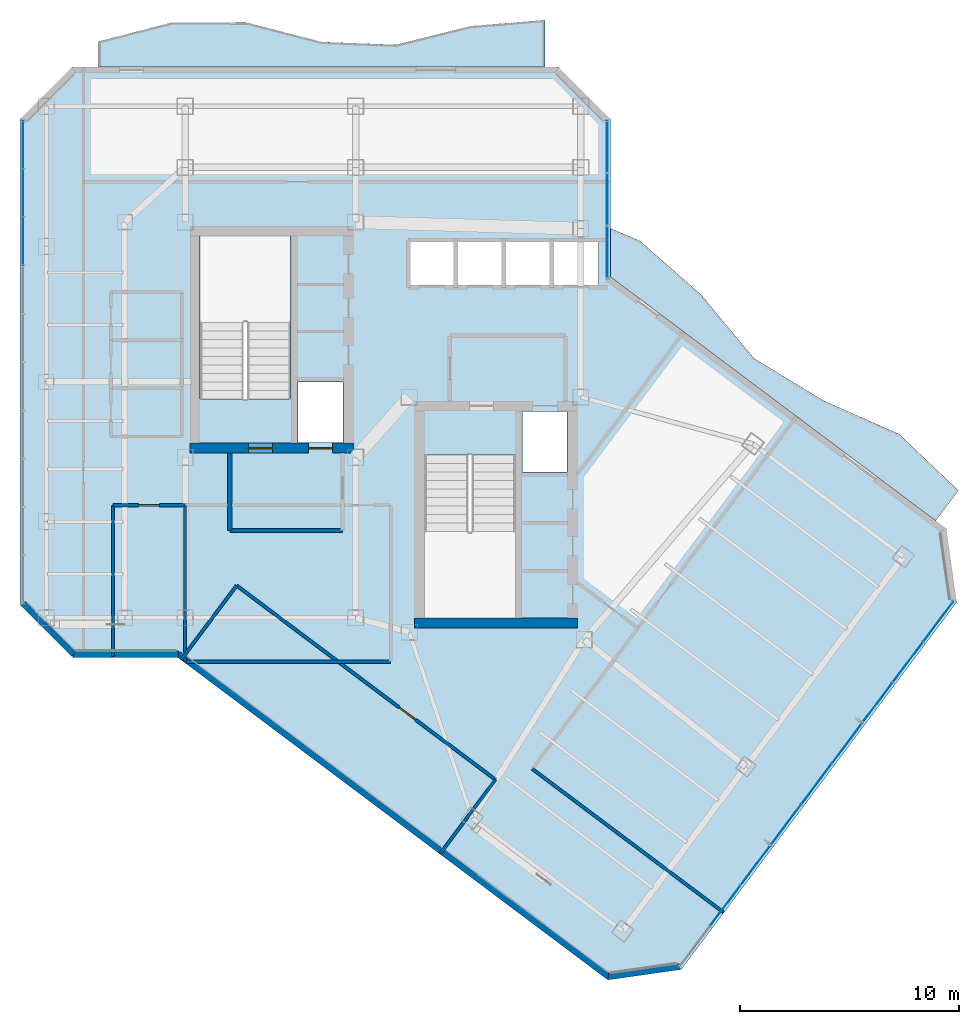
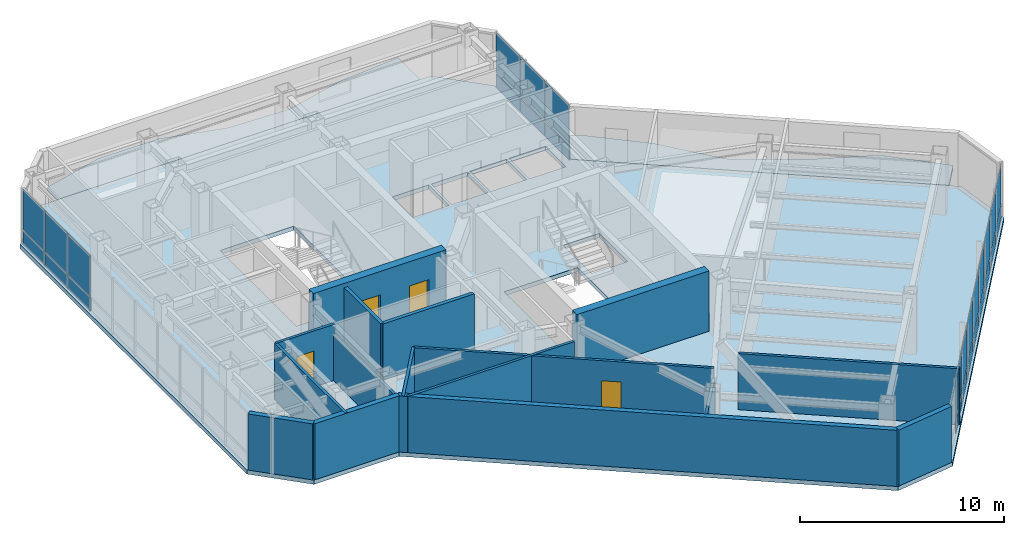
# One storey, part 19 of 25: 28 plates, 16 walls, 4 doors, 3 slabs, 4 openings, 3 elements without a shape of their own.
"""IFC4 building model written with IfcOpenShell, lengths in metres."""

from ifc_helpers import new_model, si_unit, direction, frame, frame_2d, origin, origin_2d, place, context, subcontext, project, spatial, polyline, rectangle, outline, extrude, material, layer, layer_set, type_object, element, fill, aggregate, save


model = new_model("IFC4")

# Units and contexts
model_context = context("Model", 3, precision=1e-05, world=origin(), true_north=direction((0.0, 1.0)))
body_context = subcontext(model_context, "Body", "Model", "MODEL_VIEW")
ifc_project = project(units=[si_unit("LENGTHUNIT", "METRE"), si_unit("AREAUNIT", "SQUARE_METRE"), si_unit("VOLUMEUNIT", "CUBIC_METRE"), si_unit("PLANEANGLEUNIT", "RADIAN"), si_unit("MASSUNIT", "GRAM", prefix="KILO")], contexts=[model_context])

# Site, building, storey
site_placement = place(None, origin())
site = spatial("IfcSite", under=ifc_project, at=site_placement, CompositionType="ELEMENT")
building_placement = place(site_placement, origin())
building = spatial("IfcBuilding", under=site, at=building_placement, Name="Hatsunagi Terrace Concourse", CompositionType="ELEMENT")
storey_placement = place(building_placement, frame((0.0, 0.0, 205.949951171875)))
storey = spatial("IfcBuildingStorey", under=building, at=storey_placement, Name="L54", CompositionType="ELEMENT", Elevation=205.949951171875)

# Curtain wall, plates
ifc_material_1 = material(Name="Anodised Aluminium Alloy 6063-T5", Category="aluminium")
ifc_layer_1 = layer(ifc_material_1, 0.199951171875)
ifc_layer_set_1 = layer_set([ifc_layer_1], Name="OfficeZone2_CW04")
curtain_wall_type = type_object("IfcCurtainWallType", Name="OfficeZone2_CW04", PredefinedType="NOTDEFINED", material=ifc_layer_set_1)
curtain_wall_1_placement = place(storey_placement, origin())
curtain_wall_1 = element("IfcCurtainWall", 1, at=curtain_wall_1_placement, inside=storey, type_object=curtain_wall_type, Name="Unitised Curtain Wall CW-04 CW-L54-03", PredefinedType="NOTDEFINED")
ifc_material_2 = material(Name="Warm Terracotta Ceramic Spandrel Panel", Category="masonry")
ifc_layer_2 = layer(ifc_material_2, 0.031982421875)
ifc_layer_set_2 = layer_set([ifc_layer_2], Name="CurtainWallSpandrelPanel_32")
plate_type_1 = type_object("IfcPlateType", Name="CurtainWallSpandrelPanel_32", PredefinedType="SHEET", material=ifc_layer_set_2)
plate_1_placement = place(storey_placement, frame((59.9970703125, 25.030029296875, 0.030029296875), z_axis=(0.0, 0.0, 1.0), x_axis=(-0.599969314634, -0.800023013105, 0.0)))
plate_1 = element("IfcPlate", 2, at=plate_1_placement, type_object=plate_type_1, Name="Terracotta Spandrel Panel SPN-01", PredefinedType="SHEET", context=body_context, shape_type="SweptSolid", body=[
    extrude(rectangle(XDim=2.264892578125, YDim=0.031982421875, at=origin_2d()), origin(), (0.0, 0.0, 1.0), 0.7900390625),
])
plate_2_placement = place(storey_placement, frame((58.60498046875, 23.173095703125, 0.030029296875), z_axis=(0.0, 0.0, 1.0), x_axis=(-0.599969314634, -0.800023013105, 0.0)))
plate_2 = element("IfcPlate", 3, at=plate_2_placement, type_object=plate_type_1, Name="Terracotta Spandrel Panel SPN-01", PredefinedType="SHEET", context=body_context, shape_type="SweptSolid", body=[
    extrude(rectangle(XDim=2.264892578125, YDim=0.031982421875, at=origin_2d()), origin(), (0.0, 0.0, 1.0), 0.7900390625),
])
plate_3_placement = place(storey_placement, frame((57.2119140625, 21.31689453125, 0.030029296875), z_axis=(0.0, 0.0, 1.0), x_axis=(-0.599969314634, -0.800023013105, 0.0)))
plate_3 = element("IfcPlate", 4, at=plate_3_placement, type_object=plate_type_1, Name="Terracotta Spandrel Panel SPN-01", PredefinedType="SHEET", context=body_context, shape_type="SweptSolid", body=[
    extrude(rectangle(XDim=2.264892578125, YDim=0.031982421875, at=origin_2d()), origin(), (0.0, 0.0, 1.0), 0.7900390625),
])
plate_4_placement = place(storey_placement, frame((55.820068359375, 19.4599609375, 0.030029296875), z_axis=(0.0, 0.0, 1.0), x_axis=(-0.599969314634, -0.800023013105, 0.0)))
plate_4 = element("IfcPlate", 5, at=plate_4_placement, type_object=plate_type_1, Name="Terracotta Spandrel Panel SPN-01", PredefinedType="SHEET", context=body_context, shape_type="SweptSolid", body=[
    extrude(rectangle(XDim=2.264892578125, YDim=0.031982421875, at=origin_2d()), origin(), (0.0, 0.0, 1.0), 0.7900390625),
])
plate_5_placement = place(storey_placement, frame((54.427978515625, 17.60400390625, 0.030029296875), z_axis=(0.0, 0.0, 1.0), x_axis=(-0.599969314634, -0.800023013105, 0.0)))
plate_5 = element("IfcPlate", 6, at=plate_5_placement, type_object=plate_type_1, Name="Terracotta Spandrel Panel SPN-01", PredefinedType="SHEET", context=body_context, shape_type="SweptSolid", body=[
    extrude(rectangle(XDim=2.264892578125, YDim=0.031982421875, at=origin_2d()), origin(), (0.0, 0.0, 1.0), 0.7900390625),
])
plate_6_placement = place(storey_placement, frame((53.035888671875, 15.748046875, 0.030029296875), z_axis=(0.0, 0.0, 1.0), x_axis=(-0.599969314634, -0.800023013105, 0.0)))
plate_6 = element("IfcPlate", 7, at=plate_6_placement, type_object=plate_type_1, Name="Terracotta Spandrel Panel SPN-01", PredefinedType="SHEET", context=body_context, shape_type="SweptSolid", body=[
    extrude(rectangle(XDim=2.264892578125, YDim=0.031982421875, at=origin_2d()), origin(), (0.0, 0.0, 1.0), 0.7900390625),
])
plate_7_placement = place(storey_placement, frame((51.64404296875, 13.89111328125, 0.030029296875), z_axis=(0.0, 0.0, 1.0), x_axis=(-0.599969314634, -0.800023013105, 0.0)))
plate_7 = element("IfcPlate", 8, at=plate_7_placement, type_object=plate_type_1, Name="Terracotta Spandrel Panel SPN-01", PredefinedType="SHEET", context=body_context, shape_type="SweptSolid", body=[
    extrude(rectangle(XDim=2.264892578125, YDim=0.031982421875, at=origin_2d()), origin(), (0.0, 0.0, 1.0), 0.7900390625),
])
plate_8_placement = place(storey_placement, frame((50.2509765625, 12.034912109375, 0.030029296875), z_axis=(0.0, 0.0, 1.0), x_axis=(-0.599969314634, -0.800023013105, 0.0)))
plate_8 = element("IfcPlate", 9, at=plate_8_placement, type_object=plate_type_1, Name="Terracotta Spandrel Panel SPN-01", PredefinedType="SHEET", context=body_context, shape_type="SweptSolid", body=[
    extrude(rectangle(XDim=2.264892578125, YDim=0.031982421875, at=origin_2d()), origin(), (0.0, 0.0, 1.0), 0.7900390625),
])

curtain_wall_2_placement = place(storey_placement, origin())
curtain_wall_2 = element("IfcCurtainWall", 10, at=curtain_wall_2_placement, inside=storey, type_object=curtain_wall_type, Name="Unitised Curtain Wall CW-04 CW-L54-08", PredefinedType="NOTDEFINED")
plate_9_placement = place(storey_placement, frame((18.139892578125, 42.4208984375, 0.030029296875), z_axis=(0.0, 0.0, 1.0), x_axis=(0.0, 1.0, 0.0)))
plate_9 = element("IfcPlate", 11, at=plate_9_placement, type_object=plate_type_1, Name="Terracotta Spandrel Panel SPN-01", PredefinedType="SHEET", context=body_context, shape_type="SweptSolid", body=[
    extrude(rectangle(XDim=2.153076171875, YDim=0.031982421875, at=origin_2d()), origin(), (0.0, 0.0, 1.0), 0.7900390625),
])
plate_10_placement = place(storey_placement, frame((18.139892578125, 44.62890625, 0.030029296875), z_axis=(0.0, 0.0, 1.0), x_axis=(0.0, 1.0, 0.0)))
plate_10 = element("IfcPlate", 12, at=plate_10_placement, type_object=plate_type_1, Name="Terracotta Spandrel Panel SPN-01", PredefinedType="SHEET", context=body_context, shape_type="SweptSolid", body=[
    extrude(rectangle(XDim=2.153076171875, YDim=0.031982421875, at=origin_2d()), origin(), (0.0, 0.0, 1.0), 0.7900390625),
])
plate_11_placement = place(storey_placement, frame((18.139892578125, 46.837890625, 0.030029296875), z_axis=(0.0, 0.0, 1.0), x_axis=(0.0, 1.0, 0.0)))
plate_11 = element("IfcPlate", 13, at=plate_11_placement, type_object=plate_type_1, Name="Terracotta Spandrel Panel SPN-01", PredefinedType="SHEET", context=body_context, shape_type="SweptSolid", body=[
    extrude(rectangle(XDim=2.153076171875, YDim=0.031982421875, at=origin_2d()), origin(), (0.0, 0.0, 1.0), 0.7900390625),
])

curtain_wall_3_placement = place(storey_placement, origin())
curtain_wall_3 = element("IfcCurtainWall", 14, at=curtain_wall_3_placement, inside=storey, type_object=curtain_wall_type, Name="Unitised Curtain Wall CW-04 CW-L54-12", PredefinedType="NOTDEFINED")
plate_12_placement = place(storey_placement, frame((44.860107421875, 46.739990234375, 0.030029296875), z_axis=(0.0, 0.0, 1.0), x_axis=(0.0, -1.0, 0.0)))
plate_12 = element("IfcPlate", 15, at=plate_12_placement, type_object=plate_type_1, Name="Terracotta Spandrel Panel SPN-01", PredefinedType="SHEET", context=body_context, shape_type="SweptSolid", body=[
    extrude(rectangle(XDim=2.34912109375, YDim=0.031982421875, at=origin_2d()), origin(), (0.0, 0.0, 1.0), 0.7900390625),
])
plate_13_placement = place(storey_placement, frame((44.860107421875, 44.3359375, 0.030029296875), z_axis=(0.0, 0.0, 1.0), x_axis=(0.0, -1.0, 0.0)))
plate_13 = element("IfcPlate", 16, at=plate_13_placement, type_object=plate_type_1, Name="Terracotta Spandrel Panel SPN-01", PredefinedType="SHEET", context=body_context, shape_type="SweptSolid", body=[
    extrude(rectangle(XDim=2.34912109375, YDim=0.031982421875, at=origin_2d()), origin(), (0.0, 0.0, 1.0), 0.7900390625),
])
plate_14_placement = place(storey_placement, frame((44.860107421875, 41.931884765625, 0.030029296875), z_axis=(0.0, 0.0, 1.0), x_axis=(0.0, -1.0, 0.0)))
plate_14 = element("IfcPlate", 17, at=plate_14_placement, type_object=plate_type_1, Name="Terracotta Spandrel Panel SPN-01", PredefinedType="SHEET", context=body_context, shape_type="SweptSolid", body=[
    extrude(rectangle(XDim=2.34912109375, YDim=0.031982421875, at=origin_2d()), origin(), (0.0, 0.0, 1.0), 0.7900390625),
])

# Plate
ifc_material_3 = material(Name="Low-E Double Insulating Glass 28mm", Category="glass")
ifc_layer_3 = layer(ifc_material_3, 0.028076171875)
ifc_layer_set_3 = layer_set([ifc_layer_3], Name="CurtainWallVisionGlass_28")
plate_type_2 = type_object("IfcPlateType", Name="CurtainWallVisionGlass_28", PredefinedType="CURTAIN_PANEL", material=ifc_layer_set_3)
plate_15_placement = place(storey_placement, frame((59.9970703125, 25.030029296875, 0.880126953125), z_axis=(0.0, 0.0, 1.0), x_axis=(-0.599969314634, -0.800023013105, 0.0)))
plate_15 = element("IfcPlate", 18, at=plate_15_placement, type_object=plate_type_2, Name="Low-E Vision Glass Panel GLZ-01", PredefinedType="CURTAIN_PANEL", context=body_context, shape_type="SweptSolid", body=[
    extrude(rectangle(XDim=2.264892578125, YDim=0.028076171875, at=origin_2d()), origin(), (0.0, 0.0, 1.0), 2.43994140625),
])

plate_16_placement = place(storey_placement, frame((58.60498046875, 23.173095703125, 0.880126953125), z_axis=(0.0, 0.0, 1.0), x_axis=(-0.599969314634, -0.800023013105, 0.0)))
plate_16 = element("IfcPlate", 19, at=plate_16_placement, type_object=plate_type_2, Name="Low-E Vision Glass Panel GLZ-01", PredefinedType="CURTAIN_PANEL", context=body_context, shape_type="SweptSolid", body=[
    extrude(rectangle(XDim=2.264892578125, YDim=0.028076171875, at=origin_2d()), origin(), (0.0, 0.0, 1.0), 2.43994140625),
])

plate_17_placement = place(storey_placement, frame((57.2119140625, 21.31689453125, 0.880126953125), z_axis=(0.0, 0.0, 1.0), x_axis=(-0.599969314634, -0.800023013105, 0.0)))
plate_17 = element("IfcPlate", 20, at=plate_17_placement, type_object=plate_type_2, Name="Low-E Vision Glass Panel GLZ-01", PredefinedType="CURTAIN_PANEL", context=body_context, shape_type="SweptSolid", body=[
    extrude(rectangle(XDim=2.264892578125, YDim=0.028076171875, at=origin_2d()), origin(), (0.0, 0.0, 1.0), 2.43994140625),
])

plate_18_placement = place(storey_placement, frame((55.820068359375, 19.4599609375, 0.880126953125), z_axis=(0.0, 0.0, 1.0), x_axis=(-0.599969314634, -0.800023013105, 0.0)))
plate_18 = element("IfcPlate", 21, at=plate_18_placement, type_object=plate_type_2, Name="Low-E Vision Glass Panel GLZ-01", PredefinedType="CURTAIN_PANEL", context=body_context, shape_type="SweptSolid", body=[
    extrude(rectangle(XDim=2.264892578125, YDim=0.028076171875, at=origin_2d()), origin(), (0.0, 0.0, 1.0), 2.43994140625),
])

plate_19_placement = place(storey_placement, frame((54.427978515625, 17.60400390625, 0.880126953125), z_axis=(0.0, 0.0, 1.0), x_axis=(-0.599969314634, -0.800023013105, 0.0)))
plate_19 = element("IfcPlate", 22, at=plate_19_placement, type_object=plate_type_2, Name="Low-E Vision Glass Panel GLZ-01", PredefinedType="CURTAIN_PANEL", context=body_context, shape_type="SweptSolid", body=[
    extrude(rectangle(XDim=2.264892578125, YDim=0.028076171875, at=origin_2d()), origin(), (0.0, 0.0, 1.0), 2.43994140625),
])

plate_20_placement = place(storey_placement, frame((53.035888671875, 15.748046875, 0.880126953125), z_axis=(0.0, 0.0, 1.0), x_axis=(-0.599969314634, -0.800023013105, 0.0)))
plate_20 = element("IfcPlate", 23, at=plate_20_placement, type_object=plate_type_2, Name="Low-E Vision Glass Panel GLZ-01", PredefinedType="CURTAIN_PANEL", context=body_context, shape_type="SweptSolid", body=[
    extrude(rectangle(XDim=2.264892578125, YDim=0.028076171875, at=origin_2d()), origin(), (0.0, 0.0, 1.0), 2.43994140625),
])

plate_21_placement = place(storey_placement, frame((51.64404296875, 13.89111328125, 0.880126953125), z_axis=(0.0, 0.0, 1.0), x_axis=(-0.599969314634, -0.800023013105, 0.0)))
plate_21 = element("IfcPlate", 24, at=plate_21_placement, type_object=plate_type_2, Name="Low-E Vision Glass Panel GLZ-01", PredefinedType="CURTAIN_PANEL", context=body_context, shape_type="SweptSolid", body=[
    extrude(rectangle(XDim=2.264892578125, YDim=0.028076171875, at=origin_2d()), origin(), (0.0, 0.0, 1.0), 2.43994140625),
])

plate_22_placement = place(storey_placement, frame((50.2509765625, 12.034912109375, 0.880126953125), z_axis=(0.0, 0.0, 1.0), x_axis=(-0.599969314634, -0.800023013105, 0.0)))
plate_22 = element("IfcPlate", 25, at=plate_22_placement, type_object=plate_type_2, Name="Low-E Vision Glass Panel GLZ-01", PredefinedType="CURTAIN_PANEL", context=body_context, shape_type="SweptSolid", body=[
    extrude(rectangle(XDim=2.264892578125, YDim=0.028076171875, at=origin_2d()), origin(), (0.0, 0.0, 1.0), 2.43994140625),
])

aggregate(curtain_wall_1, [plate_1, plate_15, plate_2, plate_16, plate_3, plate_17, plate_4, plate_18, plate_5, plate_19, plate_6, plate_20, plate_7, plate_21, plate_8, plate_22])

plate_23_placement = place(storey_placement, frame((18.139892578125, 42.4208984375, 0.880126953125), z_axis=(0.0, 0.0, 1.0), x_axis=(0.0, 1.0, 0.0)))
plate_23 = element("IfcPlate", 26, at=plate_23_placement, type_object=plate_type_2, Name="Low-E Vision Glass Panel GLZ-01", PredefinedType="CURTAIN_PANEL", context=body_context, shape_type="SweptSolid", body=[
    extrude(rectangle(XDim=2.153076171875, YDim=0.028076171875, at=origin_2d()), origin(), (0.0, 0.0, 1.0), 2.43994140625),
])

plate_24_placement = place(storey_placement, frame((18.139892578125, 44.62890625, 0.880126953125), z_axis=(0.0, 0.0, 1.0), x_axis=(0.0, 1.0, 0.0)))
plate_24 = element("IfcPlate", 27, at=plate_24_placement, type_object=plate_type_2, Name="Low-E Vision Glass Panel GLZ-01", PredefinedType="CURTAIN_PANEL", context=body_context, shape_type="SweptSolid", body=[
    extrude(rectangle(XDim=2.153076171875, YDim=0.028076171875, at=origin_2d()), origin(), (0.0, 0.0, 1.0), 2.43994140625),
])

plate_25_placement = place(storey_placement, frame((18.139892578125, 46.837890625, 0.880126953125), z_axis=(0.0, 0.0, 1.0), x_axis=(0.0, 1.0, 0.0)))
plate_25 = element("IfcPlate", 28, at=plate_25_placement, type_object=plate_type_2, Name="Low-E Vision Glass Panel GLZ-01", PredefinedType="CURTAIN_PANEL", context=body_context, shape_type="SweptSolid", body=[
    extrude(rectangle(XDim=2.153076171875, YDim=0.028076171875, at=origin_2d()), origin(), (0.0, 0.0, 1.0), 2.43994140625),
])

aggregate(curtain_wall_2, [plate_9, plate_23, plate_10, plate_24, plate_11, plate_25])

plate_26_placement = place(storey_placement, frame((44.860107421875, 46.739990234375, 0.880126953125), z_axis=(0.0, 0.0, 1.0), x_axis=(0.0, -1.0, 0.0)))
plate_26 = element("IfcPlate", 29, at=plate_26_placement, type_object=plate_type_2, Name="Low-E Vision Glass Panel GLZ-01", PredefinedType="CURTAIN_PANEL", context=body_context, shape_type="SweptSolid", body=[
    extrude(rectangle(XDim=2.34912109375, YDim=0.028076171875, at=origin_2d()), origin(), (0.0, 0.0, 1.0), 2.43994140625),
])

plate_27_placement = place(storey_placement, frame((44.860107421875, 44.3359375, 0.880126953125), z_axis=(0.0, 0.0, 1.0), x_axis=(0.0, -1.0, 0.0)))
plate_27 = element("IfcPlate", 30, at=plate_27_placement, type_object=plate_type_2, Name="Low-E Vision Glass Panel GLZ-01", PredefinedType="CURTAIN_PANEL", context=body_context, shape_type="SweptSolid", body=[
    extrude(rectangle(XDim=2.34912109375, YDim=0.028076171875, at=origin_2d()), origin(), (0.0, 0.0, 1.0), 2.43994140625),
])

plate_28_placement = place(storey_placement, frame((44.860107421875, 41.931884765625, 0.880126953125), z_axis=(0.0, 0.0, 1.0), x_axis=(0.0, -1.0, 0.0)))
plate_28 = element("IfcPlate", 31, at=plate_28_placement, type_object=plate_type_2, Name="Low-E Vision Glass Panel GLZ-01", PredefinedType="CURTAIN_PANEL", context=body_context, shape_type="SweptSolid", body=[
    extrude(rectangle(XDim=2.34912109375, YDim=0.028076171875, at=origin_2d()), origin(), (0.0, 0.0, 1.0), 2.43994140625),
])

aggregate(curtain_wall_3, [plate_12, plate_26, plate_13, plate_27, plate_14, plate_28])

# Slabs
ifc_material_4 = material(Name="Concrete Fc42", Category="concrete")
ifc_layer_4 = layer(ifc_material_4, 0.199951171875)
ifc_layer_set_4 = layer_set([ifc_layer_4], Name="EngawaBalconySlab_Fc42_200")
slab_type_1 = type_object("IfcSlabType", Name="EngawaBalconySlab_Fc42_200", PredefinedType="FLOOR", material=ifc_layer_set_4)
slab_1_placement = place(storey_placement, frame((0.0, 0.0, -0.199951171875)))
element("IfcSlab", 32, at=slab_1_placement, inside=storey, type_object=slab_type_1, Name="Engawa Balcony Slab BAL-L54-BN", PredefinedType="FLOOR", context=body_context, shape_type="SweptSolid", body=[
    extrude(outline(polyline([(21.60009765625, 51.568115234375), (21.60009765625, 50.39990234375), (42.0, 50.39990234375), (42.0, 52.5439453125), (38.60009765625, 52.264892578125), (35.199951171875, 51.410888671875), (31.800048828125, 51.541015625), (28.39990234375, 52.41796875), (25.0, 52.44091796875), (21.60009765625, 51.568115234375)])), origin(), (0.0, 0.0, 1.0), 0.199951171875),
])
slab_2_placement = place(storey_placement, frame((0.0, 0.0, -0.199951171875)))
element("IfcSlab", 33, at=slab_2_placement, inside=storey, type_object=slab_type_1, Name="Engawa Balcony Slab BAL-L54-BSE", PredefinedType="FLOOR", context=body_context, shape_type="SweptSolid", body=[
    extrude(outline(polyline([(46.35302734375, 42.43701171875), (44.99609375, 43.01611328125), (44.99609375, 40.802978515625), (59.8798828125, 29.639892578125), (60.9169921875, 31.02294921875), (58.219970703125, 33.593017578125), (54.75, 35.134033203125), (51.572021484375, 37.06298828125), (49.14111328125, 39.988037109375), (46.35302734375, 42.43701171875)])), origin(), (0.0, 0.0, 1.0), 0.199951171875),
])
ifc_material_5 = material(Name="Concrete Fc42", Category="concrete")
ifc_layer_5 = layer(ifc_material_5, 0.25)
ifc_layer_set_5 = layer_set([ifc_layer_5], Name="OfficeCrownSlab_Fc42_250")
slab_type_2 = type_object("IfcSlabType", Name="OfficeCrownSlab_Fc42_250", PredefinedType="FLOOR", material=ifc_layer_set_5)
slab_3_placement = place(storey_placement, frame((0.0, 0.0, -0.25)))
element("IfcSlab", 34, at=slab_3_placement, inside=storey, type_object=slab_type_2, Name="Floor Slab SL-250 L54", PredefinedType="FLOOR", context=body_context, shape_type="SweptSolid", body=[
    extrude(outline(polyline([(45.0, 40.800048828125), (45.0, 48.0), (42.60009765625, 50.39990234375), (20.39990234375, 50.39990234375), (18.0, 48.0), (18.0, 25.800048828125), (20.39990234375, 23.39990234375), (25.199951171875, 23.39990234375), (44.8798828125, 8.639892578125), (48.239990234375, 9.1201171875), (60.840087890625, 25.919921875), (60.360107421875, 29.280029296875), (45.0, 40.800048828125)]), holes=[polyline([(26.22998046875, 35.205078125), (30.3798828125, 35.205078125), (30.3798828125, 42.659912109375), (26.22998046875, 42.659912109375), (26.22998046875, 35.205078125)]), polyline([(36.5, 25.199951171875), (40.64990234375, 25.199951171875), (40.64990234375, 32.655029296875), (36.5, 32.655029296875), (36.5, 25.199951171875)]), polyline([(30.719970703125, 33.219970703125), (32.780029296875, 33.219970703125), (32.780029296875, 35.97998046875), (30.719970703125, 35.97998046875), (30.719970703125, 33.219970703125)]), polyline([(40.97998046875, 31.8798828125), (43.02001953125, 31.8798828125), (43.02001953125, 34.639892578125), (40.97998046875, 34.639892578125), (40.97998046875, 31.8798828125)]), polyline([(35.800048828125, 40.39990234375), (37.85009765625, 40.39990234375), (37.85009765625, 42.39990234375), (35.800048828125, 42.39990234375), (35.800048828125, 40.39990234375)]), polyline([(38.0, 40.39990234375), (40.050048828125, 40.39990234375), (40.050048828125, 42.39990234375), (38.0, 42.39990234375), (38.0, 40.39990234375)]), polyline([(40.199951171875, 40.39990234375), (42.25, 40.39990234375), (42.25, 42.39990234375), (40.199951171875, 42.39990234375), (40.199951171875, 40.39990234375)]), polyline([(42.39990234375, 40.39990234375), (44.449951171875, 40.39990234375), (44.449951171875, 42.39990234375), (42.39990234375, 42.39990234375), (42.39990234375, 40.39990234375)])]), origin(), (0.0, 0.0, 1.0), 0.25),
])

# Wall, openings, doors
ifc_material_6 = material(Name="Concrete Fc42", Category="concrete")
ifc_layer_6 = layer(ifc_material_6, 0.449951171875)
ifc_layer_set_6 = layer_set([ifc_layer_6], Name="CoreShearWall_Fc42_450")
wall_type_1 = type_object("IfcWallType", Name="CoreShearWall_Fc42_450", PredefinedType="SHEAR", material=ifc_layer_set_6)
wall_1_placement = place(storey_placement, frame((25.77001953125, 32.965087890625, 0.0), z_axis=(0.0, 0.0, 1.0), x_axis=(1.0, 0.0, 0.0)))
wall_1 = element("IfcWall", 35, at=wall_1_placement, inside=storey, type_object=wall_type_1, Name="Core A Shear Wall S L54", PredefinedType="SHEAR", context=body_context, shape_type="SweptSolid", body=[
    extrude(rectangle(XDim=7.47998046875, YDim=0.449951171875, at=frame_2d((3.739990234375, 0.0))), origin(), (0.0, 0.0, 1.0), 3.60009765625),
])
opening_1_placement = place(wall_1_placement, frame((2.679931640625, 0.0, 0.0)))
opening_1 = element("IfcOpeningElement", 36, at=opening_1_placement, cuts=wall_1, Name="Opening DR-110S", PredefinedType="OPENING", context=body_context, shape_type="SweptSolid", body=[
    extrude(rectangle(XDim=1.10009765625, YDim=2.199951171875, at=frame_2d((0.550048828125, 1.10009765625))), frame((0.0, 0.23486328125, 0.0), z_axis=(0.0, -1.0, 0.0), x_axis=(1.0, 0.0, 0.0)), (0.0, 0.0, 1.0), 0.469970703125),
])
opening_2_placement = place(wall_1_placement, frame((5.429931640625, 0.0, 0.0)))
opening_2 = element("IfcOpeningElement", 37, at=opening_2_placement, cuts=wall_1, Name="Opening LD-01", PredefinedType="OPENING", context=body_context, shape_type="SweptSolid", body=[
    extrude(rectangle(XDim=1.10009765625, YDim=2.14990234375, at=frame_2d((0.550048828125, 1.074951171875))), frame((0.0, 0.23486328125, 0.0), z_axis=(0.0, -1.0, 0.0), x_axis=(1.0, 0.0, 0.0)), (0.0, 0.0, 1.0), 0.469970703125),
])
ifc_material_7 = material(Name="Stainless steel", Category="steel")
door_type_1 = type_object("IfcDoorType", Name="LiftLandingDoor_LD01", OperationType="SLIDING_TO_LEFT", PredefinedType="USERDEFINED", material=ifc_material_7)
door_1_placement = place(opening_2_placement, origin())
door_1 = element("IfcDoor", 38, at=door_1_placement, inside=storey, type_object=door_type_1, Name="Lift landing door FF-01 L54", ObjectType="SLIDING_LANDING_DOOR", OperationType="SLIDING_TO_LEFT", OverallHeight=2.14990234375, OverallWidth=1.10009765625, PredefinedType="USERDEFINED", context=body_context, shape_type="SweptSolid", body=[
    extrude(rectangle(XDim=1.10009765625, YDim=2.14990234375, at=frame_2d((0.550048828125, 1.074951171875))), frame((0.0, 0.02490234375, 0.0), z_axis=(0.0, -1.0, 0.0), x_axis=(1.0, 0.0, 0.0)), (0.0, 0.0, 1.0), 0.050048828125),
])
fill(opening_2, door_1)
ifc_material_8 = material(Name="Painted steel", Category="steel")
door_type_2 = type_object("IfcDoorType", Name="StairFireDoor_EI60_1100", OperationType="NOTDEFINED", PredefinedType="DOOR", material=ifc_material_8)
door_2_placement = place(opening_1_placement, origin())
door_2 = element("IfcDoor", 39, at=door_2_placement, inside=storey, type_object=door_type_2, Name="Stair ST-A Exit Door L54", OperationType="SINGLE_SWING_LEFT", OverallHeight=2.199951171875, OverallWidth=1.10009765625, PredefinedType="DOOR", context=body_context, shape_type="SweptSolid", body=[
    extrude(rectangle(XDim=1.10009765625, YDim=2.199951171875, at=frame_2d((0.550048828125, 1.10009765625))), frame((0.0, 0.02490234375, 0.0), z_axis=(0.0, -1.0, 0.0), x_axis=(1.0, 0.0, 0.0)), (0.0, 0.0, 1.0), 0.050048828125),
])
fill(opening_1, door_2)

# Walls
wall_2_placement = place(storey_placement, frame((36.0400390625, 24.965087890625, 0.0), z_axis=(0.0, 0.0, 1.0), x_axis=(1.0, 0.0, 0.0)))
element("IfcWall", 40, at=wall_2_placement, inside=storey, type_object=wall_type_1, Name="Core B Shear Wall S L54", PredefinedType="SHEAR", context=body_context, shape_type="SweptSolid", body=[
    extrude(rectangle(XDim=7.4599609375, YDim=0.449951171875, at=frame_2d((3.72998046875, 0.0))), origin(), (0.0, 0.0, 1.0), 3.60009765625),
])
ifc_material_9 = material(Name="Acoustic mineral board", Category="gypsum")
ifc_layer_7 = layer(ifc_material_9, 0.14990234375)
ifc_layer_set_7 = layer_set([ifc_layer_7], Name="PartitionWall_EI60_150")
wall_type_2 = type_object("IfcWallType", Name="PartitionWall_EI60_150", PredefinedType="PARTITIONING", material=ifc_layer_set_7)
wall_3_placement = place(storey_placement, frame((25.550048828125, 23.199951171875, 0.0), z_axis=(0.0, 0.0, 1.0), x_axis=(1.0, 0.0, 0.0)))
element("IfcWall", 41, at=wall_3_placement, inside=storey, type_object=wall_type_2, Name="Interior Partition IW-L54-027", PredefinedType="PARTITIONING", context=body_context, shape_type="SweptSolid", body=[
    extrude(rectangle(XDim=9.39990234375, YDim=0.14990234375, at=frame_2d((4.699951171875, 0.0))), origin(), (0.0, 0.0, 1.0), 3.35009765625),
])
wall_4_placement = place(storey_placement, frame((25.550048828125, 23.199951171875, 0.0), z_axis=(0.0, 0.0, 1.0), x_axis=(0.0, 1.0, 0.0)))
element("IfcWall", 42, at=wall_4_placement, inside=storey, type_object=wall_type_2, Name="Interior Partition IW-L54-029", PredefinedType="PARTITIONING", context=body_context, shape_type="SweptSolid", body=[
    extrude(rectangle(XDim=7.150146484375, YDim=0.14990234375, at=frame_2d((3.5751953125, 0.0))), origin(), (0.0, 0.0, 1.0), 2.757080078125),
])
wall_5_placement = place(storey_placement, frame((41.429931640625, 18.2900390625, 0.0), z_axis=(0.0, 0.0, 1.0), x_axis=(0.799994629375, -0.600007160767, 0.0)))
element("IfcWall", 43, at=wall_5_placement, inside=storey, type_object=wall_type_2, Name="Interior Partition IW-L54-033", PredefinedType="PARTITIONING", context=body_context, shape_type="SweptSolid", body=[
    extrude(rectangle(XDim=10.91015625, YDim=0.14990234375, at=frame_2d((5.455078125, 0.0))), origin(), (0.0, 0.0, 1.0), 3.35009765625),
])

# Wall, opening, door
wall_6_placement = place(storey_placement, frame((22.25, 30.35009765625, 0.0), z_axis=(0.0, 0.0, 1.0), x_axis=(1.0, 0.0, 0.0)))
wall_6 = element("IfcWall", 44, at=wall_6_placement, inside=storey, type_object=wall_type_2, Name="Interior Partition IW-L54-037", PredefinedType="PARTITIONING", context=body_context, shape_type="SweptSolid", body=[
    extrude(rectangle(XDim=3.300048828125, YDim=0.14990234375, at=frame_2d((1.64990234375, 0.0))), origin(), (0.0, 0.0, 1.0), 3.35009765625),
])
opening_3_placement = place(wall_6_placement, frame((1.175048828125, 0.0, 0.0)))
opening_3 = element("IfcOpeningElement", 45, at=opening_3_placement, cuts=wall_6, Name="Opening DR-095", PredefinedType="OPENING", context=body_context, shape_type="SweptSolid", body=[
    extrude(rectangle(XDim=0.949951171875, YDim=2.14990234375, at=frame_2d((0.47509765625, 1.074951171875))), frame((0.0, 0.0849609375, 0.0), z_axis=(0.0, -1.0, 0.0), x_axis=(1.0, 0.0, 0.0)), (0.0, 0.0, 1.0), 0.169921875),
])
ifc_material_10 = material(Name="Hardwood timber", Category="wood")
door_type_3 = type_object("IfcDoorType", Name="InteriorSuiteDoor_EI30_950", OperationType="NOTDEFINED", PredefinedType="DOOR", material=ifc_material_10)
door_3_placement = place(opening_3_placement, origin())
door_3 = element("IfcDoor", 46, at=door_3_placement, inside=storey, type_object=door_type_3, Name="Private Salon L54-OCSW Door", OperationType="SINGLE_SWING_RIGHT", OverallHeight=2.14990234375, OverallWidth=0.949951171875, PredefinedType="DOOR", context=body_context, shape_type="SweptSolid", body=[
    extrude(rectangle(XDim=0.949951171875, YDim=2.14990234375, at=frame_2d((0.47509765625, 1.074951171875))), frame((0.0, 0.02490234375, 0.0), z_axis=(0.0, -1.0, 0.0), x_axis=(1.0, 0.0, 0.0)), (0.0, 0.0, 1.0), 0.050048828125),
])
fill(opening_3, door_3)

# Wall
wall_7_placement = place(storey_placement, frame((22.25, 23.43994140625, 0.0), z_axis=(0.0, 0.0, 1.0), x_axis=(0.0, 1.0, 0.0)))
element("IfcWall", 47, at=wall_7_placement, inside=storey, type_object=wall_type_2, Name="Interior Partition IW-L54-038", PredefinedType="PARTITIONING", context=body_context, shape_type="SweptSolid", body=[
    extrude(rectangle(XDim=6.91015625, YDim=0.14990234375, at=frame_2d((3.455078125, 0.0))), origin(), (0.0, 0.0, 1.0), 3.35009765625),
])

# Wall, opening, door
wall_8_placement = place(storey_placement, frame((27.909912109375, 26.679931640625, 0.0), z_axis=(0.0, 0.0, 1.0), x_axis=(0.800005938517, -0.599992081896, 0.0)))
wall_8 = element("IfcWall", 48, at=wall_8_placement, inside=storey, type_object=wall_type_2, Name="Interior Partition IW-L54-039", PredefinedType="PARTITIONING", context=body_context, shape_type="SweptSolid", body=[
    extrude(rectangle(XDim=14.800048828125, YDim=0.14990234375, at=frame_2d((7.39990234375, 0.0))), origin(), (0.0, 0.0, 1.0), 3.35009765625),
])
opening_4_placement = place(wall_8_placement, frame((9.281005859375, 0.0, 0.0)))
opening_4 = element("IfcOpeningElement", 49, at=opening_4_placement, cuts=wall_8, Name="Opening DR-095", PredefinedType="OPENING", context=body_context, shape_type="SweptSolid", body=[
    extrude(rectangle(XDim=0.949951171875, YDim=2.14990234375, at=frame_2d((0.47509765625, 1.074951171875))), frame((0.0, 0.0849609375, 0.0), z_axis=(0.0, -1.0, 0.0), x_axis=(1.0, 0.0, 0.0)), (0.0, 0.0, 1.0), 0.169921875),
])
door_4_placement = place(opening_4_placement, origin())
door_4 = element("IfcDoor", 50, at=door_4_placement, inside=storey, type_object=door_type_3, Name="Research Focus Suite L54-OSWS Door", OperationType="SINGLE_SWING_RIGHT", OverallHeight=2.14990234375, OverallWidth=0.949951171875, PredefinedType="DOOR", context=body_context, shape_type="SweptSolid", body=[
    extrude(rectangle(XDim=0.949951171875, YDim=2.14990234375, at=frame_2d((0.47509765625, 1.074951171875))), frame((0.0, 0.02490234375, 0.0), z_axis=(0.0, -1.0, 0.0), x_axis=(1.0, 0.0, 0.0)), (0.0, 0.0, 1.0), 0.050048828125),
])
fill(opening_4, door_4)

# Walls
wall_9_placement = place(storey_placement, frame((25.384033203125, 23.31201171875, 0.0), z_axis=(0.0, 0.0, 1.0), x_axis=(0.599990721155, 0.80000695905, 0.0)))
element("IfcWall", 51, at=wall_9_placement, inside=storey, type_object=wall_type_2, Name="Interior Partition IW-L54-040", PredefinedType="PARTITIONING", context=body_context, shape_type="SweptSolid", body=[
    extrude(rectangle(XDim=4.2099609375, YDim=0.14990234375, at=frame_2d((2.10498046875, 0.0))), origin(), (0.0, 0.0, 1.0), 3.35009765625),
])
wall_10_placement = place(storey_placement, frame((37.22412109375, 14.431884765625, 0.0), z_axis=(0.0, 0.0, 1.0), x_axis=(0.599962885857, 0.800027834262, 0.0)))
element("IfcWall", 52, at=wall_10_placement, inside=storey, type_object=wall_type_2, Name="Interior Partition IW-L54-041", PredefinedType="PARTITIONING", context=body_context, shape_type="SweptSolid", body=[
    extrude(rectangle(XDim=4.2099609375, YDim=0.14990234375, at=frame_2d((2.10498046875, 0.0))), origin(), (0.0, 0.0, 1.0), 2.757080078125),
])
ifc_material_11 = material(Name="Acoustic mineral board", Category="gypsum")
ifc_layer_8 = layer(ifc_material_11, 0.199951171875)
ifc_layer_set_8 = layer_set([ifc_layer_8], Name="ShaftWall_EI120_200")
wall_type_3 = type_object("IfcWallType", Name="ShaftWall_EI120_200", PredefinedType="STANDARD", material=ifc_layer_set_8)
wall_11_placement = place(storey_placement, frame((27.60009765625, 29.199951171875, 0.0), z_axis=(0.0, 0.0, 1.0), x_axis=(1.0, 0.0, 0.0)))
element("IfcWall", 53, at=wall_11_placement, inside=storey, type_object=wall_type_3, Name="Interior Partition IW-L54-007", PredefinedType="STANDARD", context=body_context, shape_type="SweptSolid", body=[
    extrude(rectangle(XDim=5.14990234375, YDim=0.199951171875, at=frame_2d((2.574951171875, 0.0))), origin(), (0.0, 0.0, 1.0), 3.35009765625),
])
wall_12_placement = place(storey_placement, frame((27.60009765625, 29.199951171875, 0.0), z_axis=(0.0, 0.0, 1.0), x_axis=(0.0, 1.0, 0.0)))
element("IfcWall", 54, at=wall_12_placement, inside=storey, type_object=wall_type_3, Name="Interior Partition IW-L54-008", PredefinedType="STANDARD", context=body_context, shape_type="SweptSolid", body=[
    extrude(rectangle(XDim=3.5400390625, YDim=0.199951171875, at=frame_2d((1.77001953125, 0.0))), origin(), (0.0, 0.0, 1.0), 3.35009765625),
])
ifc_material_12 = material(Name="Autoclaved Lightweight Concrete and Terracotta Cladding", Category="masonry")
ifc_layer_9 = layer(ifc_material_12, 0.280029296875)
ifc_layer_set_9 = layer_set([ifc_layer_9], Name="TerracottaSpandrelWall_280")
wall_type_4 = type_object("IfcWallType", Name="TerracottaSpandrelWall_280", PredefinedType="STANDARD", material=ifc_layer_set_9)
wall_13_placement = place(storey_placement, frame((48.1630859375, 9.25, 0.0), z_axis=(0.0, 0.0, 1.0), x_axis=(-0.989979263428, -0.141212810973, 0.0)))
element("IfcWall", 55, at=wall_13_placement, inside=storey, type_object=wall_type_4, Name="Exterior Spandrel Wall EW-L54-04", PredefinedType="STANDARD", context=body_context, shape_type="SweptSolid", body=[
    extrude(rectangle(XDim=3.278076171875, YDim=0.280029296875, at=frame_2d((1.63916015625, 0.0))), origin(), (0.0, 0.0, 1.0), 3.35009765625),
])
wall_14_placement = place(storey_placement, frame((44.91796875, 8.787109375, 0.0), z_axis=(0.0, 0.0, 1.0), x_axis=(-0.800004765927, 0.599993645378, 0.0)))
element("IfcWall", 56, at=wall_14_placement, inside=storey, type_object=wall_type_4, Name="Exterior Spandrel Wall EW-L54-05", PredefinedType="STANDARD", context=body_context, shape_type="SweptSolid", body=[
    extrude(rectangle(XDim=24.58837890625, YDim=0.280029296875, at=frame_2d((12.294189453125, 0.0))), origin(), (0.0, 0.0, 1.0), 3.35009765625),
])
wall_15_placement = place(storey_placement, frame((25.2470703125, 23.5400390625, 0.0), z_axis=(0.0, 0.0, 1.0), x_axis=(-1.0, 0.0, 0.0)))
element("IfcWall", 57, at=wall_15_placement, inside=storey, type_object=wall_type_4, Name="Exterior Spandrel Wall EW-L54-06", PredefinedType="STANDARD", context=body_context, shape_type="SweptSolid", body=[
    extrude(rectangle(XDim=4.7890625, YDim=0.280029296875, at=frame_2d((2.39453125, 0.0))), origin(), (0.0, 0.0, 1.0), 3.35009765625),
])
wall_16_placement = place(storey_placement, frame((20.4580078125, 23.5400390625, 0.0), z_axis=(0.0, 0.0, 1.0), x_axis=(-0.707144017911, 0.707069542501, 0.0)))
element("IfcWall", 58, at=wall_16_placement, inside=storey, type_object=wall_type_4, Name="Exterior Spandrel Wall EW-L54-07", PredefinedType="STANDARD", context=body_context, shape_type="SweptSolid", body=[
    extrude(rectangle(XDim=3.278076171875, YDim=0.280029296875, at=frame_2d((1.63916015625, 0.0))), origin(), (0.0, 0.0, 1.0), 3.35009765625),
])

save(model, "model.ifc")
